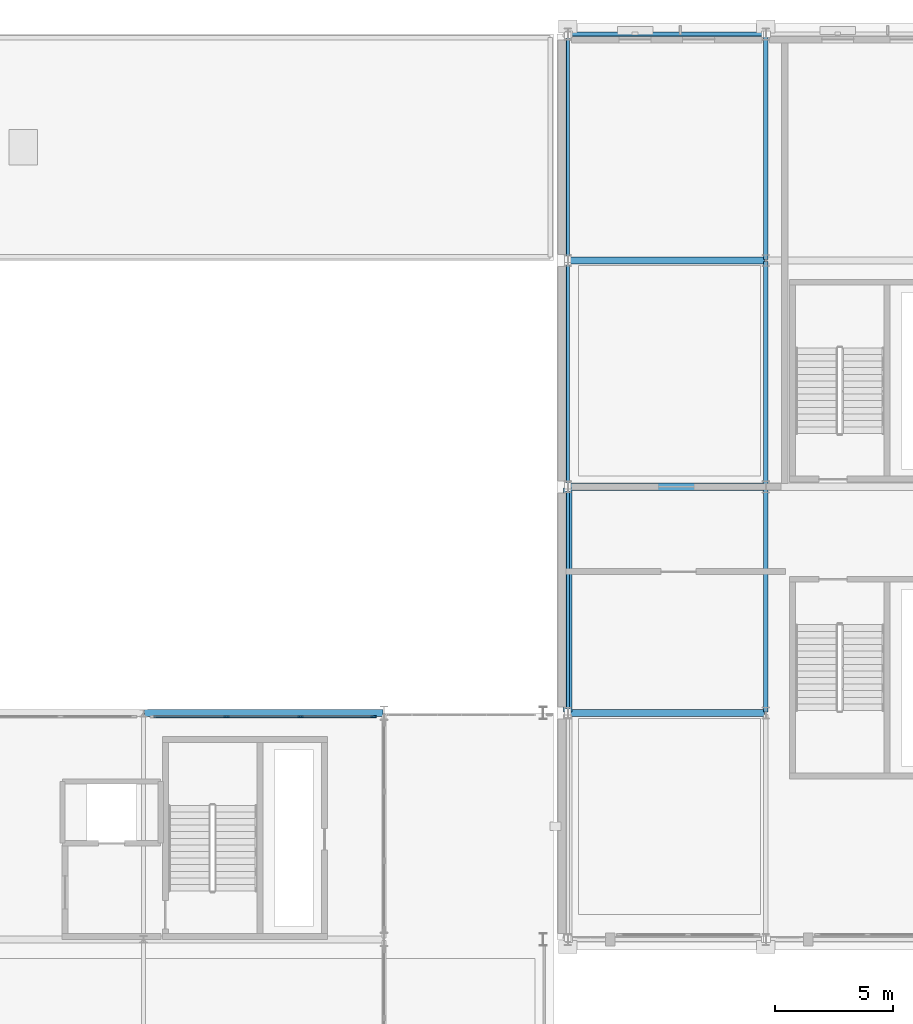
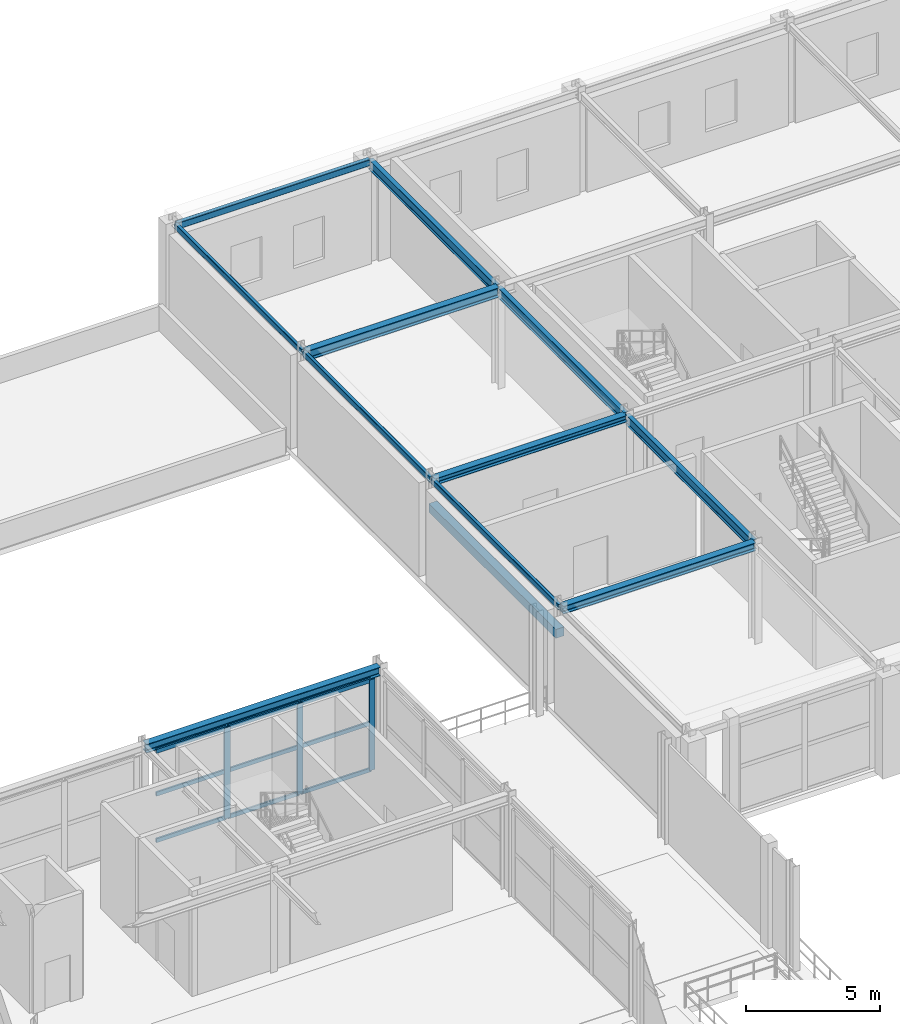
# One storey, part 52 of 125: 12 beams, 12 members, 1 element without a shape of its own.
"""IFC4 building model written with IfcOpenShell, lengths in metres."""

from ifc_helpers import new_model, si_unit, direction, frame, origin, origin_2d, place, context, subcontext, project, spatial, rectangle, hollow_rectangle, i_section, extrude, material, layer, layer_set, material_profile, profile_set, type_object, element, aggregate, save


model = new_model("IFC4")

# Units and contexts
model_context = context("Model", 3, precision=1e-05, world=origin(), true_north=direction((0.0, 1.0)))
body_context = subcontext(model_context, "Body", "Model", "MODEL_VIEW")
ifc_project = project(units=[si_unit("LENGTHUNIT", "METRE"), si_unit("AREAUNIT", "SQUARE_METRE"), si_unit("VOLUMEUNIT", "CUBIC_METRE"), si_unit("PLANEANGLEUNIT", "RADIAN"), si_unit("MASSUNIT", "GRAM", prefix="KILO")], contexts=[model_context])

# Site, building, storey
site_placement = place(None, origin())
site = spatial("IfcSite", under=ifc_project, at=site_placement, CompositionType="ELEMENT")
building_placement = place(site_placement, origin())
building = spatial("IfcBuilding", under=site, at=building_placement, Name="Myrtia Square Station", CompositionType="ELEMENT")
storey_placement = place(building_placement, frame((0.0, 0.0, 6.0)))
storey = spatial("IfcBuildingStorey", under=building, at=storey_placement, Name="L01", CompositionType="ELEMENT", Elevation=6.0)

# Beams
ifc_material_1 = material(Name="Steel S355", Category="steel")
ifc_material_profile_1 = material_profile(ifc_material_1, i_section(OverallWidth=0.300048828125, OverallDepth=0.43994140625, WebThickness=0.011474609375, FlangeThickness=0.02099609375, FilletRadius=0.027099609375, at=origin_2d()), Name="HEA 450")
ifc_profile_set_1 = profile_set([ifc_material_profile_1], Name="Steel S355")
beam_type_1 = type_object("IfcBeamType", Name="BM-HEA450", PredefinedType="BEAM", material=ifc_profile_set_1)
beam_1_placement = place(storey_placement, frame((117.64990234375, 115.199951171875, 4.330078125), z_axis=(1.0, 0.0, 0.0), x_axis=(0.0, 1.0, 0.0)))
element("IfcBeam", 1, at=beam_1_placement, inside=storey, type_object=beam_type_1, Name="Structural girder BMX-L01-0656", PredefinedType="BEAM", context=body_context, shape_type="SweptSolid", body=[
    extrude(i_section(OverallWidth=0.300048828125, OverallDepth=0.43994140625, WebThickness=0.011474609375, FlangeThickness=0.02099609375, FilletRadius=0.027099609375, at=origin_2d()), origin(), (0.0, 0.0, 1.0), 8.300048828125),
])
ifc_material_profile_2 = material_profile(ifc_material_1, i_section(OverallWidth=0.300048828125, OverallDepth=0.300048828125, WebThickness=0.010986328125, FlangeThickness=0.01904296875, FilletRadius=0.027099609375, at=origin_2d()), Name="HEB 300")
ifc_profile_set_2 = profile_set([ifc_material_profile_2], Name="Steel S355")
beam_type_2 = type_object("IfcBeamType", Name="BM-HEB300", PredefinedType="BEAM", material=ifc_profile_set_2)
beam_2_placement = place(storey_placement, frame((117.64990234375, 105.60009765625, 4.39990234375), z_axis=(1.0, 0.0, 0.0), x_axis=(0.0, 1.0, 0.0)))
element("IfcBeam", 2, at=beam_2_placement, inside=storey, type_object=beam_type_2, Name="Structural girder BMX-L01-0648", PredefinedType="BEAM", context=body_context, shape_type="SweptSolid", body=[
    extrude(i_section(OverallWidth=0.300048828125, OverallDepth=0.300048828125, WebThickness=0.010986328125, FlangeThickness=0.01904296875, FilletRadius=0.027099609375, at=origin_2d()), origin(), (0.0, 0.0, 1.0), 8.300048828125),
])
ifc_material_profile_3 = material_profile(ifc_material_1, i_section(OverallWidth=0.300048828125, OverallDepth=0.360107421875, WebThickness=0.012451171875, FlangeThickness=0.0224609375, FilletRadius=0.027099609375, at=origin_2d()), Name="HEB 360")
ifc_profile_set_3 = profile_set([ifc_material_profile_3], Name="Steel S355")
beam_type_3 = type_object("IfcBeamType", Name="BM-HEB360", PredefinedType="BEAM", material=ifc_profile_set_3)
beam_3_placement = place(storey_placement, frame((117.64990234375, 96.0, 4.3701171875), z_axis=(1.0, 0.0, 0.0), x_axis=(0.0, 1.0, 0.0)))
element("IfcBeam", 3, at=beam_3_placement, inside=storey, type_object=beam_type_3, Name="Structural girder BMX-L01-0644", PredefinedType="BEAM", context=body_context, shape_type="SweptSolid", body=[
    extrude(i_section(OverallWidth=0.300048828125, OverallDepth=0.360107421875, WebThickness=0.012451171875, FlangeThickness=0.0224609375, FilletRadius=0.027099609375, at=origin_2d()), origin(), (0.0, 0.0, 1.0), 8.300048828125),
])
ifc_material_profile_4 = material_profile(ifc_material_1, i_section(OverallWidth=0.300048828125, OverallDepth=0.39990234375, WebThickness=0.013427734375, FlangeThickness=0.02392578125, FilletRadius=0.027099609375, at=origin_2d()), Name="HEB 400")
ifc_profile_set_4 = profile_set([ifc_material_profile_4], Name="Steel S355")
beam_type_4 = type_object("IfcBeamType", Name="BM-HEB400", PredefinedType="BEAM", material=ifc_profile_set_4)
beam_4_placement = place(storey_placement, frame((99.64990234375, 96.0, 4.35009765625), z_axis=(1.0, 0.0, 0.0), x_axis=(0.0, 1.0, 0.0)))
element("IfcBeam", 4, at=beam_4_placement, inside=storey, type_object=beam_type_4, Name="Structural girder BMX-L01-0551", PredefinedType="BEAM", context=body_context, shape_type="SweptSolid", body=[
    extrude(i_section(OverallWidth=0.300048828125, OverallDepth=0.39990234375, WebThickness=0.013427734375, FlangeThickness=0.02392578125, FilletRadius=0.027099609375, at=origin_2d()), origin(), (0.0, 0.0, 1.0), 10.10009765625),
])
ifc_material_profile_5 = material_profile(ifc_material_1, i_section(OverallWidth=0.18994140625, OverallDepth=0.449951171875, WebThickness=0.009521484375, FlangeThickness=0.0146484375, FilletRadius=0.02099609375, at=origin_2d()), Name="IPE 450")
ifc_profile_set_5 = profile_set([ifc_material_profile_5], Name="Steel S355")
beam_type_5 = type_object("IfcBeamType", Name="BM-IPE450", PredefinedType="BEAM", material=ifc_profile_set_5)
for number, where, z_axis, x_axis, name in (
    (5, (126.0, 96.050048828125, 4.324951171875), (0.0, 1.0, 0.0), (-1.0, 0.0, 0.0), "Structural girder BMY-L01-0665"),
    (6, (126.0, 105.64990234375, 4.324951171875), (0.0, 1.0, 0.0), (-1.0, 0.0, 0.0), "Structural girder BMY-L01-0666"),
    (7, (126.0, 115.25, 4.324951171875), (0.0, 1.0, 0.0), (-1.0, 0.0, 0.0), "Structural girder BMY-L01-0667"),
):
    element("IfcBeam", number, at=place(storey_placement, frame(where, z_axis=z_axis, x_axis=x_axis)), inside=storey, type_object=beam_type_5, Name=name, PredefinedType="BEAM", context=body_context, shape_type="SweptSolid", body=[
        extrude(i_section(OverallWidth=0.18994140625, OverallDepth=0.449951171875, WebThickness=0.009521484375, FlangeThickness=0.0146484375, FilletRadius=0.02099609375, at=origin_2d()), origin(), (0.0, 0.0, 1.0), 9.5),
    ])

# Curtain wall, members
ifc_material_2 = material(Name="Dark bronze anodised aluminium", Category="aluminium")
ifc_layer = layer(ifc_material_2, 0.159912109375, Name="Dark bronze anodised aluminium")
ifc_layer_set = layer_set([ifc_layer], Name="Dark bronze anodised aluminium")
curtain_wall_type = type_object("IfcCurtainWallType", Name="CW-TYPE-11-943x415", PredefinedType="USERDEFINED", material=ifc_layer_set)
curtain_wall_placement = place(storey_placement, origin())
curtain_wall = element("IfcCurtainWall", 8, at=curtain_wall_placement, inside=storey, type_object=curtain_wall_type, Name="Concourse curtain wall CW-L01-046", ObjectType="CONCOURSE CURTAIN WALL", PredefinedType="USERDEFINED")
ifc_material_profile_6 = material_profile(ifc_material_2, rectangle(XDim=0.074951171875, YDim=0.239990234375, at=origin_2d()), Name="ALU-M 75x240")
ifc_profile_set_6 = profile_set([ifc_material_profile_6], Name="Dark bronze anodised aluminium")
member_type_1 = type_object("IfcMemberType", Name="CWM-75x240", PredefinedType="MULLION", material=ifc_profile_set_6)
member_1_placement = place(storey_placement, frame((103.11328125, 95.85009765625, 0.0), z_axis=(0.0, 0.0, 1.0), x_axis=(0.0, 1.0, 0.0)))
member_1 = element("IfcMember", 9, at=member_1_placement, type_object=member_type_1, Name="CW-046 mullion 2", PredefinedType="MULLION", context=body_context, shape_type="SweptSolid", body=[
    extrude(rectangle(XDim=0.074951171875, YDim=0.239990234375, at=origin_2d()), origin(), (0.0, 0.0, 1.0), 4.14990234375),
])
member_2_placement = place(storey_placement, frame((106.256591796875, 95.85009765625, 0.0), z_axis=(0.0, 0.0, 1.0), x_axis=(0.0, 1.0, 0.0)))
member_2 = element("IfcMember", 10, at=member_2_placement, type_object=member_type_1, Name="CW-046 mullion 3", PredefinedType="MULLION", context=body_context, shape_type="SweptSolid", body=[
    extrude(rectangle(XDim=0.074951171875, YDim=0.239990234375, at=origin_2d()), origin(), (0.0, 0.0, 1.0), 4.14990234375),
])
member_3_placement = place(storey_placement, frame((109.362548828125, 95.85009765625, 0.0), z_axis=(0.0, 0.0, 1.0), x_axis=(0.0, 1.0, 0.0)))
member_3 = element("IfcMember", 11, at=member_3_placement, type_object=member_type_1, Name="CW-046 mullion 4", PredefinedType="MULLION", context=body_context, shape_type="SweptSolid", body=[
    extrude(rectangle(XDim=0.074951171875, YDim=0.239990234375, at=origin_2d()), origin(), (0.0, 0.0, 1.0), 4.14990234375),
])
ifc_material_profile_7 = material_profile(ifc_material_2, rectangle(XDim=0.074951171875, YDim=0.179931640625, at=origin_2d()), Name="ALU-T 75x180")
ifc_profile_set_7 = profile_set([ifc_material_profile_7], Name="Dark bronze anodised aluminium")
member_type_2 = type_object("IfcMemberType", Name="CWT-75x180", PredefinedType="USERDEFINED", material=ifc_profile_set_7)
member_4_placement = place(storey_placement, frame((100.044921875, 95.85009765625, 0.03759765625), z_axis=(1.0, 0.0, 0.0), x_axis=(0.0, 1.0, 0.0)))
member_4 = element("IfcMember", 12, at=member_4_placement, type_object=member_type_2, Name="CW-046 transom 1.1", ObjectType="TRANSOM", PredefinedType="USERDEFINED", context=body_context, shape_type="SweptSolid", body=[
    extrude(rectangle(XDim=0.074951171875, YDim=0.179931640625, at=origin_2d()), origin(), (0.0, 0.0, 1.0), 3.031005859375),
])
member_5_placement = place(storey_placement, frame((100.044921875, 95.85009765625, 2.157958984375), z_axis=(1.0, 0.0, 0.0), x_axis=(0.0, 1.0, 0.0)))
member_5 = element("IfcMember", 13, at=member_5_placement, type_object=member_type_2, Name="CW-046 transom 1.2", ObjectType="TRANSOM", PredefinedType="USERDEFINED", context=body_context, shape_type="SweptSolid", body=[
    extrude(rectangle(XDim=0.074951171875, YDim=0.179931640625, at=origin_2d()), origin(), (0.0, 0.0, 1.0), 3.031005859375),
])
member_6_placement = place(storey_placement, frame((100.044921875, 95.85009765625, 4.112548828125), z_axis=(1.0, 0.0, 0.0), x_axis=(0.0, 1.0, 0.0)))
member_6 = element("IfcMember", 14, at=member_6_placement, type_object=member_type_2, Name="CW-046 transom 1.3", ObjectType="TRANSOM", PredefinedType="USERDEFINED", context=body_context, shape_type="SweptSolid", body=[
    extrude(rectangle(XDim=0.074951171875, YDim=0.179931640625, at=origin_2d()), origin(), (0.0, 0.0, 1.0), 3.031005859375),
])
member_7_placement = place(storey_placement, frame((103.15087890625, 95.85009765625, 0.03759765625), z_axis=(1.0, 0.0, 0.0), x_axis=(0.0, 1.0, 0.0)))
member_7 = element("IfcMember", 15, at=member_7_placement, type_object=member_type_2, Name="CW-046 transom 2.1", ObjectType="TRANSOM", PredefinedType="USERDEFINED", context=body_context, shape_type="SweptSolid", body=[
    extrude(rectangle(XDim=0.074951171875, YDim=0.179931640625, at=origin_2d()), origin(), (0.0, 0.0, 1.0), 3.068359375),
])
member_8_placement = place(storey_placement, frame((103.15087890625, 95.85009765625, 2.157958984375), z_axis=(1.0, 0.0, 0.0), x_axis=(0.0, 1.0, 0.0)))
member_8 = element("IfcMember", 16, at=member_8_placement, type_object=member_type_2, Name="CW-046 transom 2.2", ObjectType="TRANSOM", PredefinedType="USERDEFINED", context=body_context, shape_type="SweptSolid", body=[
    extrude(rectangle(XDim=0.074951171875, YDim=0.179931640625, at=origin_2d()), origin(), (0.0, 0.0, 1.0), 3.068359375),
])
member_9_placement = place(storey_placement, frame((103.15087890625, 95.85009765625, 4.112548828125), z_axis=(1.0, 0.0, 0.0), x_axis=(0.0, 1.0, 0.0)))
member_9 = element("IfcMember", 17, at=member_9_placement, type_object=member_type_2, Name="CW-046 transom 2.3", ObjectType="TRANSOM", PredefinedType="USERDEFINED", context=body_context, shape_type="SweptSolid", body=[
    extrude(rectangle(XDim=0.074951171875, YDim=0.179931640625, at=origin_2d()), origin(), (0.0, 0.0, 1.0), 3.068359375),
])
member_10_placement = place(storey_placement, frame((106.294189453125, 95.85009765625, 0.03759765625), z_axis=(1.0, 0.0, 0.0), x_axis=(0.0, 1.0, 0.0)))
member_10 = element("IfcMember", 18, at=member_10_placement, type_object=member_type_2, Name="CW-046 transom 3.1", ObjectType="TRANSOM", PredefinedType="USERDEFINED", context=body_context, shape_type="SweptSolid", body=[
    extrude(rectangle(XDim=0.074951171875, YDim=0.179931640625, at=origin_2d()), origin(), (0.0, 0.0, 1.0), 3.03076171875),
])
member_11_placement = place(storey_placement, frame((106.294189453125, 95.85009765625, 2.157958984375), z_axis=(1.0, 0.0, 0.0), x_axis=(0.0, 1.0, 0.0)))
member_11 = element("IfcMember", 19, at=member_11_placement, type_object=member_type_2, Name="CW-046 transom 3.2", ObjectType="TRANSOM", PredefinedType="USERDEFINED", context=body_context, shape_type="SweptSolid", body=[
    extrude(rectangle(XDim=0.074951171875, YDim=0.179931640625, at=origin_2d()), origin(), (0.0, 0.0, 1.0), 3.03076171875),
])
member_12_placement = place(storey_placement, frame((106.294189453125, 95.85009765625, 4.112548828125), z_axis=(1.0, 0.0, 0.0), x_axis=(0.0, 1.0, 0.0)))
member_12 = element("IfcMember", 20, at=member_12_placement, type_object=member_type_2, Name="CW-046 transom 3.3", ObjectType="TRANSOM", PredefinedType="USERDEFINED", context=body_context, shape_type="SweptSolid", body=[
    extrude(rectangle(XDim=0.074951171875, YDim=0.179931640625, at=origin_2d()), origin(), (0.0, 0.0, 1.0), 3.03076171875),
])
aggregate(curtain_wall, [member_1, member_2, member_3, member_4, member_5, member_6, member_7, member_8, member_9, member_10, member_11, member_12])

# Beams
ifc_material_3 = material(Name="Concrete C35/45", Category="concrete")
ifc_material_profile_8 = material_profile(ifc_material_3, rectangle(XDim=0.35009765625, YDim=0.39990234375, at=origin_2d()), Name="LNT 350x400")
ifc_profile_set_8 = profile_set([ifc_material_profile_8], Name="Concrete C35/45")
beam_type_6 = type_object("IfcBeamType", Name="LNT-RC350x400", PredefinedType="LINTEL", material=ifc_profile_set_8)
beam_5_placement = place(storey_placement, frame((117.60009765625, 96.050048828125, 3.25), z_axis=(0.0, 1.0, 0.0), x_axis=(-1.0, 0.0, 0.0)))
element("IfcBeam", 21, at=beam_5_placement, inside=storey, type_object=beam_type_6, Name="Reinforced concrete opening lintel L01-08", PredefinedType="LINTEL", context=body_context, shape_type="SweptSolid", body=[
    extrude(rectangle(XDim=0.35009765625, YDim=0.39990234375, at=origin_2d()), origin(), (0.0, 0.0, 1.0), 9.5),
])
ifc_material_profile_9 = material_profile(ifc_material_1, hollow_rectangle(XDim=0.14990234375, YDim=0.25, WallThickness=0.012451171875, InnerFilletRadius=0.012451171875, OuterFilletRadius=0.02490234375, at=origin_2d()), Name="RHS 250x150x12.5")
ifc_profile_set_9 = profile_set([ifc_material_profile_9], Name="Steel S355")
beam_type_7 = type_object("IfcBeamType", Name="SPN-RHS250", PredefinedType="SPANDREL", material=ifc_profile_set_9)
for number, where, z_axis, x_axis, name in (
    (22, (117.60009765625, 96.050048828125, 4.425048828125), (0.0, 1.0, 0.0), (-1.0, 0.0, 0.0), "Structural girder SPNY-L01-0189"),
    (23, (117.60009765625, 105.64990234375, 4.425048828125), (0.0, 1.0, 0.0), (-1.0, 0.0, 0.0), "Structural girder SPNY-L01-0190"),
    (24, (117.60009765625, 115.25, 4.425048828125), (0.0, 1.0, 0.0), (-1.0, 0.0, 0.0), "Structural girder SPNY-L01-0191"),
):
    element("IfcBeam", number, at=place(storey_placement, frame(where, z_axis=z_axis, x_axis=x_axis)), inside=storey, type_object=beam_type_7, Name=name, PredefinedType="SPANDREL", context=body_context, shape_type="SweptSolid", body=[
        extrude(hollow_rectangle(XDim=0.14990234375, YDim=0.25, WallThickness=0.012451171875, InnerFilletRadius=0.012451171875, OuterFilletRadius=0.02490234375, at=origin_2d()), origin(), (0.0, 0.0, 1.0), 9.5),
    ])
ifc_material_profile_10 = material_profile(ifc_material_1, hollow_rectangle(XDim=0.199951171875, YDim=0.300048828125, WallThickness=0.01611328125, InnerFilletRadius=0.01611328125, OuterFilletRadius=0.031982421875, at=origin_2d()), Name="RHS 300x200x16")
ifc_profile_set_10 = profile_set([ifc_material_profile_10], Name="Steel S355")
beam_type_8 = type_object("IfcBeamType", Name="SPN-RHS300", PredefinedType="SPANDREL", material=ifc_profile_set_10)
beam_6_placement = place(storey_placement, frame((117.64990234375, 124.800048828125, 4.39990234375), z_axis=(1.0, 0.0, 0.0), x_axis=(0.0, 1.0, 0.0)))
element("IfcBeam", 25, at=beam_6_placement, inside=storey, type_object=beam_type_8, Name="Structural girder SPN-L01-0180", PredefinedType="SPANDREL", context=body_context, shape_type="SweptSolid", body=[
    extrude(hollow_rectangle(XDim=0.199951171875, YDim=0.300048828125, WallThickness=0.01611328125, InnerFilletRadius=0.01611328125, OuterFilletRadius=0.031982421875, at=origin_2d()), origin(), (0.0, 0.0, 1.0), 8.300048828125),
])

save(model, "model.ifc")
